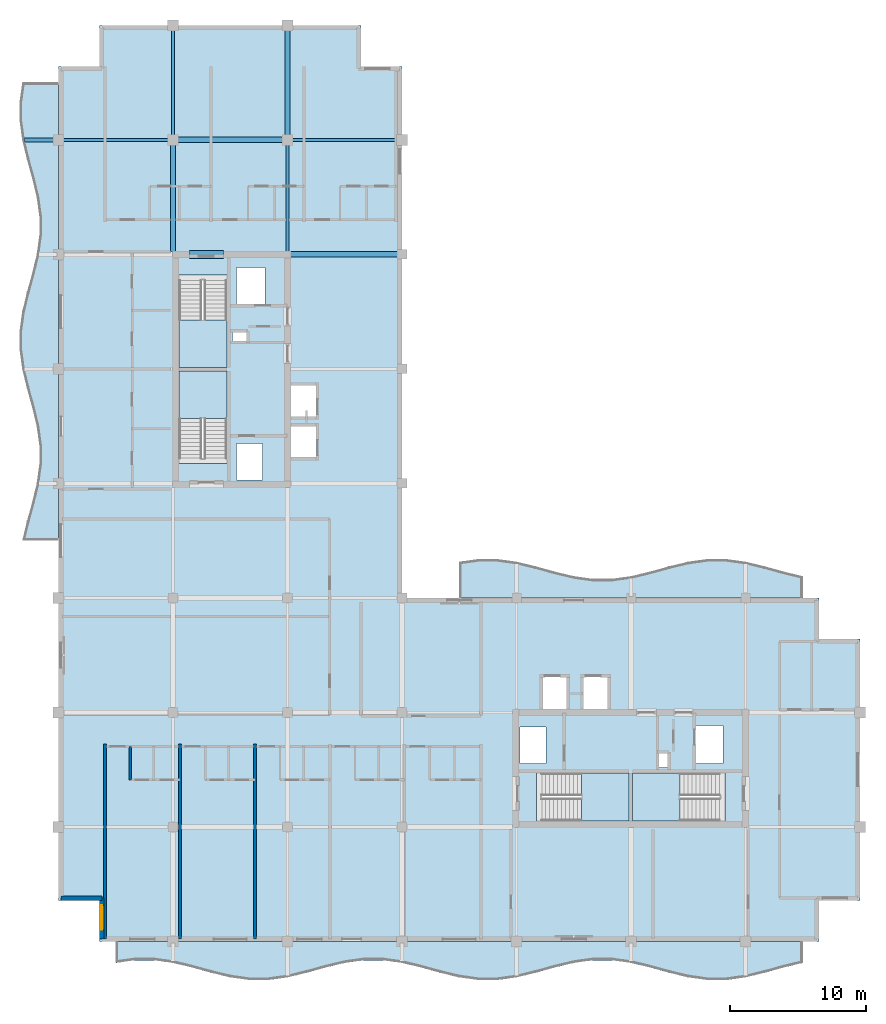
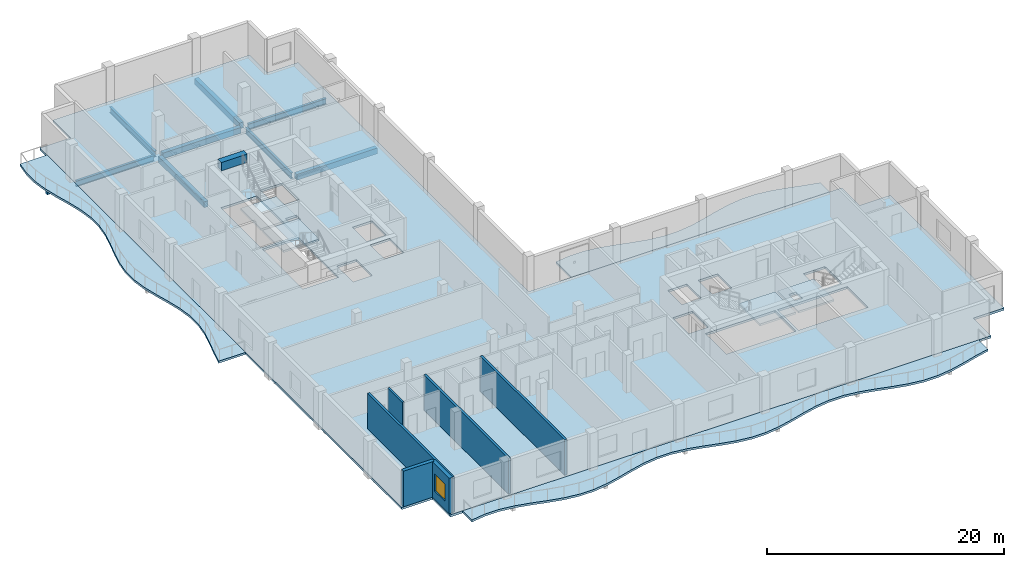
# One storey, part 2 of 12: 10 beams, 8 slabs, 6 walls, 1 window, 1 opening, 4 elements without a shape of their own.
"""IFC4 building model written with IfcOpenShell, lengths in metres."""

import ifcopenshell
import ifcopenshell.guid

model = None  # the IFC model being written
_history = None  # IfcOwnerHistory: only IFC2X3 demands one
_inside = {}  # id of a spatial element -> (the spatial element, [elements in it])
_under = {}  # id of a project, library or spatial element -> (it, [spatial elements below it])
_declared = {}  # id of a project -> (the project, [libraries it declares])
_typed = {}  # id of a type object -> (the type object, [elements of that type])
_made_of = {}  # id of a material, layer set ... -> (it, [elements and type objects made of it])


def new_model(schema):
    """Start an empty IFC model of exactly this schema.

    Asked for "IFC4X3", IfcOpenShell would pick the latest addendum, in which some entities
    have other attributes; the version numbers below select the first issue.
    IFC2X3 requires an IfcOwnerHistory on every rooted entity: one is made here for all.
    """
    global model, _history
    if schema == "IFC4X3":
        model = ifcopenshell.file(schema_version=(4, 3, 0, 0))
    else:
        model = ifcopenshell.file(schema=schema)
    _inside.clear()
    _under.clear()
    _declared.clear()
    _typed.clear()
    _made_of.clear()
    _history = None
    if model.schema == "IFC2X3":
        org = make("IfcOrganization", Name="unknown")
        user = make(
            "IfcPersonAndOrganization",
            ThePerson=make("IfcPerson", FamilyName="unknown"),
            TheOrganization=org,
        )
        app = make(
            "IfcApplication",
            ApplicationDeveloper=org,
            Version="unknown",
            ApplicationFullName="unknown",
            ApplicationIdentifier="unknown",
        )
        _history = make(
            "IfcOwnerHistory",
            OwningUser=user,
            OwningApplication=app,
            ChangeAction="ADDED",
            CreationDate=0,
        )
    return model


def make(cls, **values):
    """One entity of the class cls with the attributes given. An attribute that is None is left unset."""
    return model.create_entity(
        cls, **{name: value for name, value in values.items() if value is not None}
    )


def rooted(cls, **values):
    """An entity with a GlobalId (a new one), such as an element, a storey or a relation."""
    return make(cls, GlobalId=ifcopenshell.guid.new(), OwnerHistory=_history, **values)


def si_unit(unit_type, name, prefix=None):
    """IfcSIUnit, for example si_unit("LENGTHUNIT", "METRE", prefix="MILLI")."""
    return make("IfcSIUnit", UnitType=unit_type, Prefix=prefix, Name=name)


def assignment(units):
    """IfcUnitAssignment: the units of a project."""
    return None if units is None else make("IfcUnitAssignment", Units=units)


def point(xyz):
    """IfcCartesianPoint."""
    return None if xyz is None else make("IfcCartesianPoint", Coordinates=xyz)


def direction(xyz):
    """IfcDirection."""
    return None if xyz is None else make("IfcDirection", DirectionRatios=xyz)


def frame(location, z_axis=None, x_axis=None):
    """IfcAxis2Placement3D, a coordinate frame: its origin and axes. An axis left out is left unset."""
    return make(
        "IfcAxis2Placement3D",
        Location=point(location),
        Axis=direction(z_axis),
        RefDirection=direction(x_axis),
    )


def frame_2d(location, x_axis=None):
    """IfcAxis2Placement2D, a coordinate frame in the plane: its origin and x axis."""
    return make(
        "IfcAxis2Placement2D", Location=point(location), RefDirection=direction(x_axis)
    )


def origin():
    """The frame at (0, 0, 0) with its axes left unset."""
    return frame((0.0, 0.0, 0.0))


def origin_2d():
    """The frame at (0, 0) in the plane with its x axis left unset."""
    return frame_2d((0.0, 0.0))


def place(relative_to, where):
    """IfcLocalPlacement: puts the frame where relative to a parent placement (None: the world)."""
    return make(
        "IfcLocalPlacement", PlacementRelTo=relative_to, RelativePlacement=where
    )


def context(
    kind, dimensions, precision=None, world=None, true_north=None, identifier=None
):
    """IfcGeometricRepresentationContext, for example the 3D "Model" context."""
    return make(
        "IfcGeometricRepresentationContext",
        ContextIdentifier=identifier,
        ContextType=kind,
        CoordinateSpaceDimension=dimensions,
        Precision=precision,
        WorldCoordinateSystem=world,
        TrueNorth=true_north,
    )


def subcontext(parent, identifier, kind, view, scale=None):
    """IfcGeometricRepresentationSubContext, for example "Body" below "Model"."""
    return make(
        "IfcGeometricRepresentationSubContext",
        ContextIdentifier=identifier,
        ContextType=kind,
        ParentContext=parent,
        TargetScale=scale,
        TargetView=view,
    )


def project(units=None, contexts=None):
    """IfcProject with its units and contexts."""
    return rooted(
        "IfcProject",
        Name="project",
        RepresentationContexts=contexts,
        UnitsInContext=assignment(units),
    )


def spatial(cls, under=None, at=None, **own):
    """A site, building, storey or space (cls), placed at a placement, below another one or the project."""
    s = rooted(cls, ObjectPlacement=at, **own)
    if under is not None:
        _under.setdefault(under.id(), (under, []))[1].append(s)
    return s


def polyline(points):
    """IfcPolyline through the points."""
    return make("IfcPolyline", Points=[point(p) for p in points])


def profile(cls, at=None, kind="AREA", **sizes):
    """A parametric profile (cls). Its sizes go by their IFC names, for example OverallWidth=200.0."""
    return make(cls, ProfileType=kind, Position=at, **sizes)


def rectangle(**sizes):
    """IfcRectangleProfileDef."""
    return profile("IfcRectangleProfileDef", **sizes)


def i_section(**sizes):
    """IfcIShapeProfileDef."""
    return profile("IfcIShapeProfileDef", **sizes)


def outline(outer, holes=None, kind="AREA"):
    """IfcArbitraryClosedProfileDef: a profile drawn as a closed curve; with holes, ...WithVoids."""
    if holes is None:
        return make("IfcArbitraryClosedProfileDef", ProfileType=kind, OuterCurve=outer)
    return make(
        "IfcArbitraryProfileDefWithVoids",
        ProfileType=kind,
        OuterCurve=outer,
        InnerCurves=holes,
    )


def extrude(swept, where, along, depth):
    """IfcExtrudedAreaSolid: the profile swept, set in the frame where, extruded along a direction by depth."""
    return make(
        "IfcExtrudedAreaSolid",
        SweptArea=swept,
        Position=where,
        ExtrudedDirection=direction(along),
        Depth=depth,
    )


def shape(context_of_items, identifier, shape_type, items):
    """IfcShapeRepresentation: the items that make up one representation, for example the "Body"."""
    return make(
        "IfcShapeRepresentation",
        ContextOfItems=context_of_items,
        RepresentationIdentifier=identifier,
        RepresentationType=shape_type,
        Items=items,
    )


def material(Name=None, Category=None):
    """IfcMaterial."""
    return make("IfcMaterial", Name=Name, Category=Category)


def layer(
    of_material, thickness, ventilated=None, Name=None, Category=None, Priority=None
):
    """IfcMaterialLayer: one layer of a wall or slab, of a material (None: an air gap)."""
    return make(
        "IfcMaterialLayer",
        Material=of_material,
        LayerThickness=thickness,
        IsVentilated=ventilated,
        Name=Name,
        Category=Category,
        Priority=Priority,
    )


def layer_set(layers, Name=None):
    """IfcMaterialLayerSet."""
    return make("IfcMaterialLayerSet", MaterialLayers=layers, LayerSetName=Name)


def material_profile(
    of_material, cross_section, Name=None, Category=None, Priority=None
):
    """IfcMaterialProfile: a cross section and its material."""
    return make(
        "IfcMaterialProfile",
        Name=Name,
        Material=of_material,
        Profile=cross_section,
        Priority=Priority,
        Category=Category,
    )


def profile_set(profiles, Name=None, composite=None):
    """IfcMaterialProfileSet."""
    return make(
        "IfcMaterialProfileSet",
        Name=Name,
        MaterialProfiles=profiles,
        CompositeProfile=composite,
    )


def made_of(thing, what):
    """Note that an element or type object is made of a material, layer set ...; save() writes the relation."""
    if what is not None:
        _made_of.setdefault(what.id(), (what, []))[1].append(thing)
    return thing


def type_object(cls, material=None, **own):
    """A type object (cls), such as IfcWallType, which elements share."""
    return made_of(rooted(cls, **own), material)


def element(
    cls,
    number,
    at=None,
    inside=None,
    cuts=None,
    type_object=None,
    material=None,
    context=None,
    identifier="Body",
    shape_type=None,
    held_by="IfcProductDefinitionShape",
    body=None,
    shapes=None,
    **own,
):
    """One element of the class cls, such as IfcWall. Its Tag is "e" and its number.

    at: its placement. inside: the storey or other place that contains it. cuts: it is an
    opening in that element (IfcRelVoidsElement). A single representation is given by context,
    identifier, shape_type and body (its items); several are given by shapes. held_by: the class
    of the entity that holds the representations. save() writes the other relations.
    """
    e = rooted(cls, Tag="e%d" % number, ObjectPlacement=at, **own)
    if body is not None:
        shapes = [shape(context, identifier, shape_type, body)]
    if shapes is not None:
        e.Representation = make(held_by, Representations=shapes)
    if inside is not None:
        _inside.setdefault(inside.id(), (inside, []))[1].append(e)
    if cuts is not None:
        rooted(
            "IfcRelVoidsElement", RelatingBuildingElement=cuts, RelatedOpeningElement=e
        )
    if type_object is not None:
        _typed.setdefault(type_object.id(), (type_object, []))[1].append(e)
    return made_of(e, material)


def fill(opening, filler):
    """IfcRelFillsElement: the door or window that sits in an opening."""
    return rooted(
        "IfcRelFillsElement",
        RelatingOpeningElement=opening,
        RelatedBuildingElement=filler,
    )


def aggregate(whole, parts):
    """IfcRelAggregates: a whole, such as a stair, and the parts it consists of."""
    return rooted("IfcRelAggregates", RelatingObject=whole, RelatedObjects=parts)


def save(model, path):
    """Write the relations noted so far, then the file.

    IfcRelAggregates (storeys below a building ...), IfcRelContainedInSpatialStructure (elements
    in a storey), IfcRelDefinesByType, IfcRelAssociatesMaterial and IfcRelDeclares: one each for
    every whole, place, type object, material and project.
    """
    for whole, parts in _under.values():
        aggregate(whole, parts)
    for where, things in _inside.values():
        rooted(
            "IfcRelContainedInSpatialStructure",
            RelatedElements=things,
            RelatingStructure=where,
        )
    for kind, things in _typed.values():
        rooted("IfcRelDefinesByType", RelatedObjects=things, RelatingType=kind)
    for what, things in _made_of.values():
        rooted("IfcRelAssociatesMaterial", RelatedObjects=things, RelatingMaterial=what)
    for by, libraries in _declared.values():
        rooted("IfcRelDeclares", RelatingContext=by, RelatedDefinitions=libraries)
    model.write(path)


model = new_model("IFC4")

# Units and contexts
model_context = context("Model", 3, precision=1e-05, world=origin(), true_north=direction((0.0, 1.0)))
body_context = subcontext(model_context, "Body", "Model", "MODEL_VIEW")
ifc_project = project(units=[si_unit("LENGTHUNIT", "METRE"), si_unit("AREAUNIT", "SQUARE_METRE"), si_unit("VOLUMEUNIT", "CUBIC_METRE"), si_unit("PLANEANGLEUNIT", "RADIAN"), si_unit("MASSUNIT", "GRAM", prefix="KILO")], contexts=[model_context])

# Site, building, storey
site_placement = place(None, origin())
site = spatial("IfcSite", under=ifc_project, at=site_placement, CompositionType="ELEMENT")
building_placement = place(site_placement, origin())
building = spatial("IfcBuilding", under=site, at=building_placement, Name="Koriwani Terraces Tower", CompositionType="ELEMENT")
storey_placement = place(building_placement, frame((0.0, 0.0, 351.5)))
storey = spatial("IfcBuildingStorey", under=building, at=storey_placement, Name="L87", CompositionType="ELEMENT", Elevation=351.5)

# Beams
ifc_material_1 = material(Name="Concrete C40/50", Category="concrete")
ifc_material_profile_1 = material_profile(ifc_material_1, rectangle(XDim=0.300048828125, YDim=0.39990234375, at=origin_2d()), Name="Concrete C40/50", Category="LoadBearing")
ifc_profile_set_1 = profile_set([ifc_material_profile_1], Name="Concrete C40/50")
beam_type_1 = type_object("IfcBeamType", Name="BEAM_RC_BALCONY_RIB_300X400", PredefinedType="JOIST", material=ifc_profile_set_1)
beam_1_placement = place(storey_placement, frame((5.919677734375, 67.199951171875, -0.429931640625), z_axis=(1.0, 0.0, 0.0), x_axis=(0.0, 1.0, 0.0)))
element("IfcBeam", 1, at=beam_1_placement, inside=storey, type_object=beam_type_1, Name="L87 Balcony Bracket Rib W-4", PredefinedType="JOIST", context=body_context, shape_type="SweptSolid", body=[
    extrude(rectangle(XDim=0.300048828125, YDim=0.39990234375, at=origin_2d()), origin(), (0.0, 0.0, 1.0), 2.38037109375),
])
ifc_material_2 = material(Name="Concrete C50/60", Category="concrete")
ifc_material_profile_2 = material_profile(ifc_material_2, rectangle(XDim=0.60009765625, YDim=0.85009765625, at=origin_2d()), Name="Concrete C50/60", Category="LoadBearing")
ifc_profile_set_2 = profile_set([ifc_material_profile_2], Name="Concrete C50/60")
beam_type_2 = type_object("IfcBeamType", Name="BEAM_RC_COUPLING_600X850", PredefinedType="LINTEL", material=ifc_profile_set_2)
beam_2_placement = place(storey_placement, frame((18.0, 58.800048828125, 3.2451171875), z_axis=(1.0, 0.0, 0.0), x_axis=(0.0, 1.0, 0.0)))
element("IfcBeam", 2, at=beam_2_placement, inside=storey, type_object=beam_type_2, Name="L87 Core Coupling Lintel Beam WN", PredefinedType="LINTEL", context=body_context, shape_type="SweptSolid", body=[
    extrude(rectangle(XDim=0.60009765625, YDim=0.85009765625, at=origin_2d()), origin(), (0.0, 0.0, 1.0), 2.5),
])
ifc_material_profile_3 = material_profile(ifc_material_1, rectangle(XDim=0.39990234375, YDim=0.60009765625, at=origin_2d()), Name="Concrete C40/50", Category="LoadBearing")
ifc_profile_set_3 = profile_set([ifc_material_profile_3], Name="Concrete C40/50")
beam_type_3 = type_object("IfcBeamType", Name="BEAM_RC_GRID_400X600", PredefinedType="BEAM", material=ifc_profile_set_3)
beam_3_placement = place(storey_placement, frame((25.429931640625, 58.800048828125, -0.530029296875), z_axis=(1.0, 0.0, 0.0), x_axis=(0.0, 1.0, 0.0)))
element("IfcBeam", 3, at=beam_3_placement, inside=storey, type_object=beam_type_3, Name="L87 Grid Beam H (25.2-33.6m)", PredefinedType="BEAM", context=body_context, shape_type="SweptSolid", body=[
    extrude(rectangle(XDim=0.39990234375, YDim=0.60009765625, at=origin_2d()), origin(), (0.0, 0.0, 1.0), 7.840087890625),
])
beam_4_placement = place(storey_placement, frame((17.179931640625, 67.199951171875, -0.530029296875), z_axis=(1.0, 0.0, 0.0), x_axis=(0.0, 1.0, 0.0)))
element("IfcBeam", 4, at=beam_4_placement, inside=storey, type_object=beam_type_3, Name="L87 Grid Beam I (16.8-25.2m)", PredefinedType="BEAM", context=body_context, shape_type="SweptSolid", body=[
    extrude(rectangle(XDim=0.39990234375, YDim=0.60009765625, at=origin_2d()), origin(), (0.0, 0.0, 1.0), 7.64013671875),
])
beam_5_placement = place(storey_placement, frame((16.800048828125, 59.030029296875, -0.530029296875), z_axis=(0.0, 1.0, 0.0), x_axis=(-1.0, 0.0, 0.0)))
element("IfcBeam", 5, at=beam_5_placement, inside=storey, type_object=beam_type_3, Name="L87 Grid Beam 3 (58.8-67.2m)", PredefinedType="BEAM", context=body_context, shape_type="SweptSolid", body=[
    extrude(rectangle(XDim=0.39990234375, YDim=0.60009765625, at=origin_2d()), origin(), (0.0, 0.0, 1.0), 7.7900390625),
])
beam_6_placement = place(storey_placement, frame((25.199951171875, 67.580078125, -0.530029296875), z_axis=(0.0, 1.0, 0.0), x_axis=(-1.0, 0.0, 0.0)))
element("IfcBeam", 6, at=beam_6_placement, inside=storey, type_object=beam_type_3, Name="L87 Grid Beam 4 (67.2-75.6m)", PredefinedType="BEAM", context=body_context, shape_type="SweptSolid", body=[
    extrude(rectangle(XDim=0.39990234375, YDim=0.60009765625, at=origin_2d()), origin(), (0.0, 0.0, 1.0), 7.639892578125),
])
ifc_material_3 = material(Name="Steel ASTM A572 Grade 50", Category="steel")
ifc_material_profile_4 = material_profile(ifc_material_3, i_section(OverallWidth=0.22900390625, OverallDepth=0.611083984375, WebThickness=0.0126953125, FlangeThickness=0.022216796875, at=origin_2d()), Name="Steel ASTM A572 Grade 50", Category="LoadBearing")
ifc_profile_set_4 = profile_set([ifc_material_profile_4], Name="Steel ASTM A572 Grade 50")
beam_type_4 = type_object("IfcBeamType", Name="STEEL_BEAM_W610X155", PredefinedType="BEAM", material=ifc_profile_set_4)
for number, where, z_axis, x_axis, name in (
    (7, (8.780029296875, 67.199951171875, -0.535400390625), (1.0, 0.0, 0.0), (0.0, 1.0, 0.0), "L87 Grid Beam I (8.4-16.8m)"),
    (8, (25.580078125, 67.199951171875, -0.535400390625), (1.0, 0.0, 0.0), (0.0, 1.0, 0.0), "L87 Grid Beam I (25.2-33.6m)"),
    (9, (16.800048828125, 67.580078125, -0.535400390625), (0.0, 1.0, 0.0), (-1.0, 0.0, 0.0), "L87 Grid Beam 3 (67.2-75.6m)"),
):
    element("IfcBeam", number, at=place(storey_placement, frame(where, z_axis=z_axis, x_axis=x_axis)), inside=storey, type_object=beam_type_4, Name=name, PredefinedType="BEAM", context=body_context, shape_type="SweptSolid", body=[
        extrude(i_section(OverallWidth=0.22900390625, OverallDepth=0.611083984375, WebThickness=0.0126953125, FlangeThickness=0.022216796875, at=origin_2d()), origin(), (0.0, 0.0, 1.0), 7.639892578125),
    ])
beam_7_placement = place(storey_placement, frame((25.199951171875, 59.030029296875, -0.535400390625), z_axis=(0.0, 1.0, 0.0), x_axis=(-1.0, 0.0, 0.0)))
element("IfcBeam", 10, at=beam_7_placement, inside=storey, type_object=beam_type_4, Name="L87 Grid Beam 4 (58.8-67.2m)", PredefinedType="BEAM", context=body_context, shape_type="SweptSolid", body=[
    extrude(i_section(OverallWidth=0.22900390625, OverallDepth=0.611083984375, WebThickness=0.0126953125, FlangeThickness=0.022216796875, at=origin_2d()), origin(), (0.0, 0.0, 1.0), 7.7900390625),
])

# Slabs
ifc_layer_1 = layer(ifc_material_1, 0.219970703125, Name="Concrete C40/50")
ifc_layer_set_1 = layer_set([ifc_layer_1], Name="Concrete C40/50")
slab_type_1 = type_object("IfcSlabType", Name="SLAB_BALCONY_220", PredefinedType="FLOOR", material=ifc_layer_set_1)
slab_1_placement = place(storey_placement, frame((0.0, 0.0, -0.219970703125)))
element("IfcSlab", 11, at=slab_1_placement, inside=storey, type_object=slab_type_1, Name="L87 Quilted Circular-Arc Balcony (S)", PredefinedType="FLOOR", context=body_context, shape_type="SweptSolid", body=[
    extrude(outline(polyline([(12.60009765625, 8.39990234375), (14.0, 8.39990234375), (15.39990234375, 8.39990234375), (16.800048828125, 8.39990234375), (18.199951171875, 8.39990234375), (19.60009765625, 8.39990234375), (21.0, 8.39990234375), (22.39990234375, 8.39990234375), (23.800048828125, 8.39990234375), (25.199951171875, 8.39990234375), (26.60009765625, 8.39990234375), (28.0, 8.39990234375), (29.39990234375, 8.39990234375), (30.800048828125, 8.39990234375), (32.199951171875, 8.39990234375), (33.60009765625, 8.39990234375), (35.0, 8.39990234375), (36.39990234375, 8.39990234375), (37.800048828125, 8.39990234375), (39.199951171875, 8.39990234375), (40.60009765625, 8.39990234375), (42.0, 8.39990234375), (43.39990234375, 8.39990234375), (44.800048828125, 8.39990234375), (46.199951171875, 8.39990234375), (47.60009765625, 8.39990234375), (49.0, 8.39990234375), (50.39990234375, 8.39990234375), (51.800048828125, 8.39990234375), (53.199951171875, 8.39990234375), (54.60009765625, 8.39990234375), (56.0, 8.39990234375), (57.39990234375, 8.39990234375), (58.800048828125, 8.39990234375), (60.199951171875, 8.39990234375), (61.60009765625, 8.39990234375), (63.0, 8.39990234375), (63.0, 6.830322265625), (61.60009765625, 6.494140625), (60.199951171875, 6.10595703125), (58.800048828125, 5.769775390625), (57.39990234375, 5.57568359375), (56.0, 5.57568359375), (54.60009765625, 5.769775390625), (53.199951171875, 6.10595703125), (51.800048828125, 6.494140625), (50.39990234375, 6.830322265625), (49.0, 7.0244140625), (47.60009765625, 7.0244140625), (46.199951171875, 6.830322265625), (44.800048828125, 6.494140625), (43.39990234375, 6.10595703125), (42.0, 5.769775390625), (40.60009765625, 5.57568359375), (39.199951171875, 5.57568359375), (37.800048828125, 5.769775390625), (36.39990234375, 6.10595703125), (35.0, 6.494140625), (33.60009765625, 6.830322265625), (32.199951171875, 7.0244140625), (30.800048828125, 7.0244140625), (29.39990234375, 6.830322265625), (28.0, 6.494140625), (26.60009765625, 6.10595703125), (25.199951171875, 5.769775390625), (23.800048828125, 5.57568359375), (22.39990234375, 5.57568359375), (21.0, 5.769775390625), (19.60009765625, 6.10595703125), (18.199951171875, 6.494140625), (16.800048828125, 6.830322265625), (15.39990234375, 7.0244140625), (14.0, 7.0244140625), (12.60009765625, 6.830322265625), (12.60009765625, 8.39990234375)])), origin(), (0.0, 0.0, 1.0), 0.219970703125),
])
slab_2_placement = place(storey_placement, frame((0.0, 0.0, -0.219970703125)))
element("IfcSlab", 12, at=slab_2_placement, inside=storey, type_object=slab_type_1, Name="L87 Quilted Circular-Arc Balcony (W)", PredefinedType="FLOOR", context=body_context, shape_type="SweptSolid", body=[
    extrude(outline(polyline([(8.39990234375, 37.800048828125), (8.39990234375, 39.199951171875), (8.39990234375, 40.60009765625), (8.39990234375, 42.0), (8.39990234375, 43.39990234375), (8.39990234375, 44.800048828125), (8.39990234375, 46.199951171875), (8.39990234375, 47.60009765625), (8.39990234375, 49.0), (8.39990234375, 50.39990234375), (8.39990234375, 51.800048828125), (8.39990234375, 53.199951171875), (8.39990234375, 54.60009765625), (8.39990234375, 56.0), (8.39990234375, 57.39990234375), (8.39990234375, 58.800048828125), (8.39990234375, 60.199951171875), (8.39990234375, 61.60009765625), (8.39990234375, 63.0), (8.39990234375, 64.39990234375), (8.39990234375, 65.800048828125), (8.39990234375, 67.199951171875), (8.39990234375, 68.60009765625), (8.39990234375, 70.0), (8.39990234375, 71.39990234375), (5.769775390625, 71.39990234375), (5.57568359375, 70.0), (5.57568359375, 68.60009765625), (5.769775390625, 67.199951171875), (6.10595703125, 65.800048828125), (6.494140625, 64.39990234375), (6.830322265625, 63.0), (7.0244140625, 61.60009765625), (7.0244140625, 60.199951171875), (6.830322265625, 58.800048828125), (6.494140625, 57.39990234375), (6.10595703125, 56.0), (5.769775390625, 54.60009765625), (5.57568359375, 53.199951171875), (5.57568359375, 51.800048828125), (5.769775390625, 50.39990234375), (6.10595703125, 49.0), (6.494140625, 47.60009765625), (6.830322265625, 46.199951171875), (7.0244140625, 44.800048828125), (7.0244140625, 43.39990234375), (6.830322265625, 42.0), (6.494140625, 40.60009765625), (6.10595703125, 39.199951171875), (5.769775390625, 37.800048828125), (8.39990234375, 37.800048828125)])), origin(), (0.0, 0.0, 1.0), 0.219970703125),
])
slab_3_placement = place(storey_placement, frame((0.0, 0.0, -0.219970703125)))
element("IfcSlab", 13, at=slab_3_placement, inside=storey, type_object=slab_type_1, Name="L87 Quilted Circular-Arc Balcony (NE)", PredefinedType="FLOOR", context=body_context, shape_type="SweptSolid", body=[
    extrude(outline(polyline([(63.0, 33.60009765625), (61.60009765625, 33.60009765625), (60.199951171875, 33.60009765625), (58.800048828125, 33.60009765625), (57.39990234375, 33.60009765625), (56.0, 33.60009765625), (54.60009765625, 33.60009765625), (53.199951171875, 33.60009765625), (51.800048828125, 33.60009765625), (50.39990234375, 33.60009765625), (49.0, 33.60009765625), (47.60009765625, 33.60009765625), (46.199951171875, 33.60009765625), (44.800048828125, 33.60009765625), (43.39990234375, 33.60009765625), (42.0, 33.60009765625), (40.60009765625, 33.60009765625), (39.199951171875, 33.60009765625), (37.800048828125, 33.60009765625), (37.800048828125, 36.230224609375), (39.199951171875, 36.42431640625), (40.60009765625, 36.42431640625), (42.0, 36.230224609375), (43.39990234375, 35.89404296875), (44.800048828125, 35.505859375), (46.199951171875, 35.169677734375), (47.60009765625, 34.9755859375), (49.0, 34.9755859375), (50.39990234375, 35.169677734375), (51.800048828125, 35.505859375), (53.199951171875, 35.89404296875), (54.60009765625, 36.230224609375), (56.0, 36.42431640625), (57.39990234375, 36.42431640625), (58.800048828125, 36.230224609375), (60.199951171875, 35.89404296875), (61.60009765625, 35.505859375), (63.0, 35.169677734375), (63.0, 33.60009765625)])), origin(), (0.0, 0.0, 1.0), 0.219970703125),
])
ifc_layer_2 = layer(ifc_material_1, 0.22998046875, Name="Concrete C40/50")
ifc_layer_set_2 = layer_set([ifc_layer_2], Name="Concrete C40/50")
slab_type_2 = type_object("IfcSlabType", Name="SLAB_RES_TYP_230", PredefinedType="FLOOR", material=ifc_layer_set_2)
slab_4_placement = place(storey_placement, frame((0.0, 0.0, -0.22998046875)))
element("IfcSlab", 14, at=slab_4_placement, inside=storey, type_object=slab_type_2, Name="L87 Structural Floor Slab", PredefinedType="FLOOR", context=body_context, shape_type="SweptSolid", body=[
    extrude(outline(polyline([(11.39990234375, 8.39990234375), (64.199951171875, 8.39990234375), (64.199951171875, 11.39990234375), (67.199951171875, 11.39990234375), (67.199951171875, 30.60009765625), (64.199951171875, 30.60009765625), (64.199951171875, 33.60009765625), (33.60009765625, 33.60009765625), (33.60009765625, 72.60009765625), (30.60009765625, 72.60009765625), (30.60009765625, 75.60009765625), (11.39990234375, 75.60009765625), (11.39990234375, 72.60009765625), (8.39990234375, 72.60009765625), (8.39990234375, 11.39990234375), (11.39990234375, 11.39990234375), (11.39990234375, 8.39990234375)]), holes=[polyline([(17.25, 43.4599609375), (20.75, 43.4599609375), (20.75, 50.25), (17.25, 50.25), (17.25, 43.4599609375)]), polyline([(17.25, 50.5), (20.75, 50.5), (20.75, 57.2900390625), (17.25, 57.2900390625), (17.25, 50.5)]), polyline([(43.4599609375, 17.25), (50.25, 17.25), (50.25, 20.75), (43.4599609375, 20.75), (43.4599609375, 17.25)]), polyline([(50.5, 17.25), (57.2900390625, 17.25), (57.2900390625, 20.75), (50.5, 20.75), (50.5, 17.25)]), polyline([(25.449951171875, 43.85009765625), (27.35009765625, 43.85009765625), (27.35009765625, 46.25), (25.449951171875, 46.25), (25.449951171875, 43.85009765625)]), polyline([(25.449951171875, 46.85009765625), (27.35009765625, 46.85009765625), (27.35009765625, 49.25), (25.449951171875, 49.25), (25.449951171875, 46.85009765625)]), polyline([(43.85009765625, 25.449951171875), (45.75, 25.449951171875), (45.75, 27.85009765625), (43.85009765625, 27.85009765625), (43.85009765625, 25.449951171875)]), polyline([(46.85009765625, 25.449951171875), (48.75, 25.449951171875), (48.75, 27.85009765625), (46.85009765625, 27.85009765625), (46.85009765625, 25.449951171875)]), polyline([(21.449951171875, 55.050048828125), (23.550048828125, 55.050048828125), (23.550048828125, 57.85009765625), (21.449951171875, 57.85009765625), (21.449951171875, 55.050048828125)]), polyline([(55.050048828125, 21.449951171875), (57.14990234375, 21.449951171875), (57.14990234375, 24.25), (55.050048828125, 24.25), (55.050048828125, 21.449951171875)]), polyline([(21.449951171875, 42.25), (23.35009765625, 42.25), (23.35009765625, 44.949951171875), (21.449951171875, 44.949951171875), (21.449951171875, 42.25)]), polyline([(42.25, 21.449951171875), (44.14990234375, 21.449951171875), (44.14990234375, 24.14990234375), (42.25, 24.14990234375), (42.25, 21.449951171875)]), polyline([(21.14990234375, 52.419921875), (22.219970703125, 52.419921875), (22.219970703125, 53.179931640625), (21.14990234375, 53.179931640625), (21.14990234375, 52.419921875)]), polyline([(52.419921875, 21.14990234375), (53.179931640625, 21.14990234375), (53.179931640625, 22.219970703125), (52.419921875, 22.219970703125), (52.419921875, 21.14990234375)])]), origin(), (0.0, 0.0, 1.0), 0.22998046875),
])

# Stair, slab
stair_type = type_object("IfcStairType", Name="STAIR_CORE_DOGLEG_1650", PredefinedType="TWO_STRAIGHT_RUN_STAIR", material=ifc_material_1)
stair_1_placement = place(storey_placement, origin())
stair_1 = element("IfcStair", 15, at=stair_1_placement, inside=storey, type_object=stair_type, Name="L87 West Core Exit Stair 1", PredefinedType="HALF_TURN_STAIR")
ifc_layer_3 = layer(ifc_material_1, 0.199951171875, Name="Concrete C40/50")
ifc_layer_set_3 = layer_set([ifc_layer_3], Name="Concrete C40/50")
slab_type_3 = type_object("IfcSlabType", Name="SLAB_STAIR_LANDING_200", PredefinedType="LANDING", material=ifc_layer_set_3)
slab_5_placement = place(storey_placement, frame((0.0, 0.0, 1.75)))
slab_5 = element("IfcSlab", 16, at=slab_5_placement, type_object=slab_type_3, Name="ST-W1 landing 1", PredefinedType="LANDING", context=body_context, shape_type="SweptSolid", body=[
    extrude(outline(polyline([(20.75, 46.75), (20.75, 50.25), (17.25, 50.25), (17.25, 46.75), (20.75, 46.75)])), origin(), (0.0, 0.0, 1.0), 0.199951171875),
])
aggregate(stair_1, [slab_5])

stair_2_placement = place(storey_placement, origin())
stair_2 = element("IfcStair", 17, at=stair_2_placement, inside=storey, type_object=stair_type, Name="L87 West Core Exit Stair 2", PredefinedType="HALF_TURN_STAIR")
slab_6_placement = place(storey_placement, frame((0.0, 0.0, 1.75)))
slab_6 = element("IfcSlab", 18, at=slab_6_placement, type_object=slab_type_3, Name="ST-W2 landing 1", PredefinedType="LANDING", context=body_context, shape_type="SweptSolid", body=[
    extrude(outline(polyline([(17.25, 54.0), (17.25, 50.5), (20.75, 50.5), (20.75, 54.0), (17.25, 54.0)])), origin(), (0.0, 0.0, 1.0), 0.199951171875),
])
aggregate(stair_2, [slab_6])

stair_3_placement = place(storey_placement, origin())
stair_3 = element("IfcStair", 19, at=stair_3_placement, inside=storey, type_object=stair_type, Name="L87 East Core Exit Stair 1", PredefinedType="HALF_TURN_STAIR")
slab_7_placement = place(storey_placement, frame((0.0, 0.0, 1.75)))
slab_7 = element("IfcSlab", 20, at=slab_7_placement, type_object=slab_type_3, Name="ST-E1 landing 1", PredefinedType="LANDING", context=body_context, shape_type="SweptSolid", body=[
    extrude(outline(polyline([(46.75, 17.25), (50.25, 17.25), (50.25, 20.75), (46.75, 20.75), (46.75, 17.25)])), origin(), (0.0, 0.0, 1.0), 0.199951171875),
])
aggregate(stair_3, [slab_7])

stair_4_placement = place(storey_placement, origin())
stair_4 = element("IfcStair", 21, at=stair_4_placement, inside=storey, type_object=stair_type, Name="L87 East Core Exit Stair 2", PredefinedType="HALF_TURN_STAIR")
slab_8_placement = place(storey_placement, frame((0.0, 0.0, 1.75)))
slab_8 = element("IfcSlab", 22, at=slab_8_placement, type_object=slab_type_3, Name="ST-E2 landing 1", PredefinedType="LANDING", context=body_context, shape_type="SweptSolid", body=[
    extrude(outline(polyline([(54.0, 20.75), (50.5, 20.75), (50.5, 17.25), (54.0, 17.25), (54.0, 20.75)])), origin(), (0.0, 0.0, 1.0), 0.199951171875),
])
aggregate(stair_4, [slab_8])

# Walls
ifc_material_4 = material(Name="Autoclaved Cellular Concrete Blockwork", Category="masonry")
ifc_layer_4 = layer(ifc_material_4, 0.219970703125, Name="Autoclaved Cellular Concrete Blockwork")
ifc_layer_set_4 = layer_set([ifc_layer_4], Name="Autoclaved Cellular Concrete Blockwork")
wall_type_1 = type_object("IfcWallType", Name="WALL_DEMISING_220", PredefinedType="PARTITIONING", material=ifc_layer_set_4)
for number, where, z_axis, x_axis, name in (
    (23, (11.800048828125, 8.60009765625, 0.0), (0.0, 0.0, 1.0), (0.0, 1.0, 0.0), "L87 Interior Wall WRDEM-L87-SW-0"),
    (24, (17.300048828125, 8.60009765625, 0.0), (0.0, 0.0, 1.0), (0.0, 1.0, 0.0), "L87 Interior Wall WRDEM-L87-SW-1"),
    (25, (22.800048828125, 8.60009765625, 0.0), (0.0, 0.0, 1.0), (0.0, 1.0, 0.0), "L87 Interior Wall WRDEM-L87-SW-2"),
):
    element("IfcWall", number, at=place(storey_placement, frame(where, z_axis=z_axis, x_axis=x_axis)), inside=storey, type_object=wall_type_1, Name=name, PredefinedType="PARTITIONING", context=body_context, shape_type="SweptSolid", body=[
        extrude(rectangle(XDim=14.27978515625, YDim=0.219970703125, at=frame_2d((7.139892578125, 0.0))), origin(), (0.0, 0.0, 1.0), 3.669921875),
    ])

# Wall, opening, window
ifc_layer_5 = layer(ifc_material_2, 0.35009765625, Name="Concrete C50/60")
ifc_layer_set_5 = layer_set([ifc_layer_5], Name="Concrete C50/60")
wall_type_2 = type_object("IfcWallType", Name="WALL_EXT_BRUTALIST_350", PredefinedType="STANDARD", material=ifc_layer_set_5)
wall_1_placement = place(storey_placement, frame((11.574951171875, 8.574951171875, 0.0), z_axis=(0.0, 0.0, 1.0), x_axis=(0.0, 1.0, 0.0)))
wall_1 = element("IfcWall", 26, at=wall_1_placement, inside=storey, type_object=wall_type_2, Name="L87 Fair-Faced Brutalist Exterior Wall (N0)", PredefinedType="STANDARD", context=body_context, shape_type="SweptSolid", body=[
    extrude(rectangle(XDim=3.0, YDim=0.35009765625, at=frame_2d((1.5, 0.0))), origin(), (0.0, 0.0, 1.0), 3.669921875),
])
opening_placement = place(wall_1_placement, frame((0.677490234375, 0.0, 0.85009765625)))
opening = element("IfcOpeningElement", 27, at=opening_placement, cuts=wall_1, Name="Opening W-04", PredefinedType="OPENING", context=body_context, shape_type="SweptSolid", body=[
    extrude(rectangle(XDim=1.800048828125, YDim=1.800048828125, at=frame_2d((0.89990234375, 0.89990234375))), frame((0.0, 0.18505859375, 0.0), z_axis=(0.0, -1.0, 0.0), x_axis=(1.0, 0.0, 0.0)), (0.0, 0.0, 1.0), 0.3701171875),
])
ifc_material_5 = material(Name="Tempered Laminated Low-E Glass", Category="glass")
window_type = type_object("IfcWindowType", Name="WIN_RES_BED_1800X1800", PartitioningType="DOUBLE_PANEL_VERTICAL", PredefinedType="WINDOW", material=ifc_material_5)
window_placement = place(opening_placement, origin())
window = element("IfcWindow", 28, at=window_placement, inside=storey, type_object=window_type, Name="L87 Exterior Window (N0-R32)", OverallHeight=1.800048828125, OverallWidth=1.800048828125, PartitioningType="SINGLE_PANEL", PredefinedType="WINDOW", context=body_context, shape_type="SweptSolid", body=[
    extrude(rectangle(XDim=1.800048828125, YDim=1.800048828125, at=frame_2d((0.89990234375, 0.89990234375))), frame((0.0, 0.030029296875, 0.0), z_axis=(0.0, -1.0, 0.0), x_axis=(1.0, 0.0, 0.0)), (0.0, 0.0, 1.0), 0.06005859375),
])
fill(opening, window)

# Walls
wall_2_placement = place(storey_placement, frame((11.574951171875, 11.574951171875, 0.0), z_axis=(0.0, 0.0, 1.0), x_axis=(-1.0, 0.0, 0.0)))
element("IfcWall", 29, at=wall_2_placement, inside=storey, type_object=wall_type_2, Name="L87 Fair-Faced Brutalist Exterior Wall (N1)", PredefinedType="STANDARD", context=body_context, shape_type="SweptSolid", body=[
    extrude(rectangle(XDim=3.0, YDim=0.35009765625, at=frame_2d((1.5, 0.0))), origin(), (0.0, 0.0, 1.0), 3.669921875),
])
ifc_material_6 = material(Name="Fire-Rated Acoustic Gypsum Partition", Category="masonry")
ifc_layer_6 = layer(ifc_material_6, 0.179931640625, Name="Fire-Rated Acoustic Gypsum Partition")
ifc_layer_set_6 = layer_set([ifc_layer_6], Name="Fire-Rated Acoustic Gypsum Partition")
wall_type_3 = type_object("IfcWallType", Name="WALL_PLUMBING_180", PredefinedType="PLUMBINGWALL", material=ifc_layer_set_6)
wall_3_placement = place(storey_placement, frame((13.64990234375, 20.25, 0.0), z_axis=(0.0, 0.0, 1.0), x_axis=(0.0, 1.0, 0.0)))
element("IfcWall", 30, at=wall_3_placement, inside=storey, type_object=wall_type_3, Name="L87 Interior Wall WRSVCS-L87-SW-0", PredefinedType="PLUMBINGWALL", context=body_context, shape_type="SweptSolid", body=[
    extrude(rectangle(XDim=2.449951171875, YDim=0.179931640625, at=frame_2d((1.22509765625, 0.0))), origin(), (0.0, 0.0, 1.0), 3.669921875),
])

save(model, "model.ifc")
